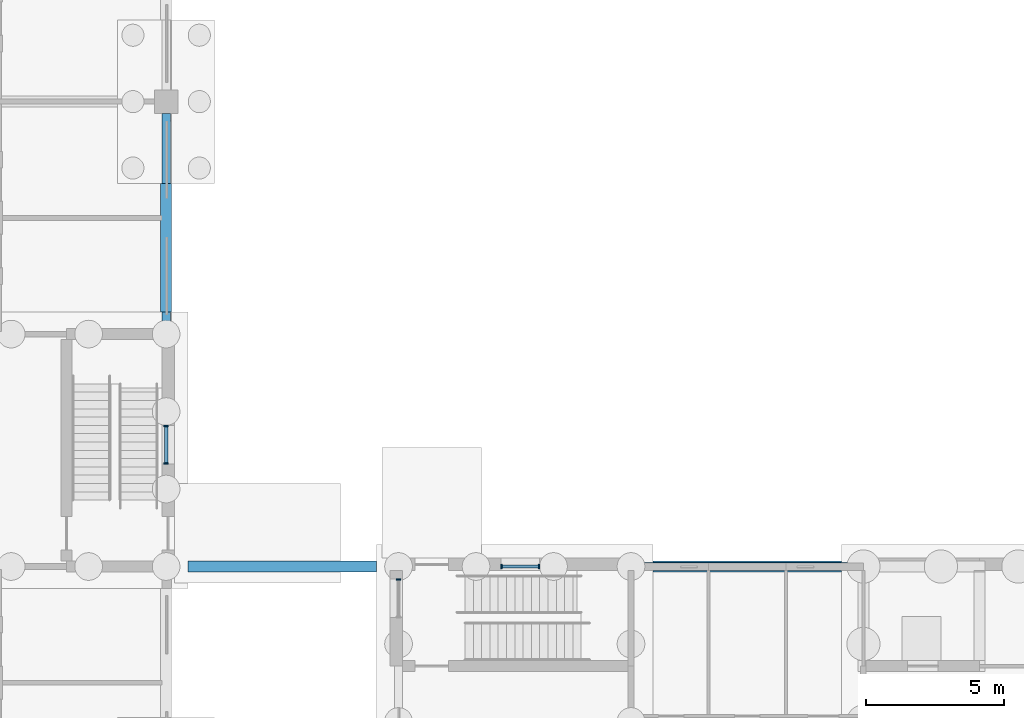
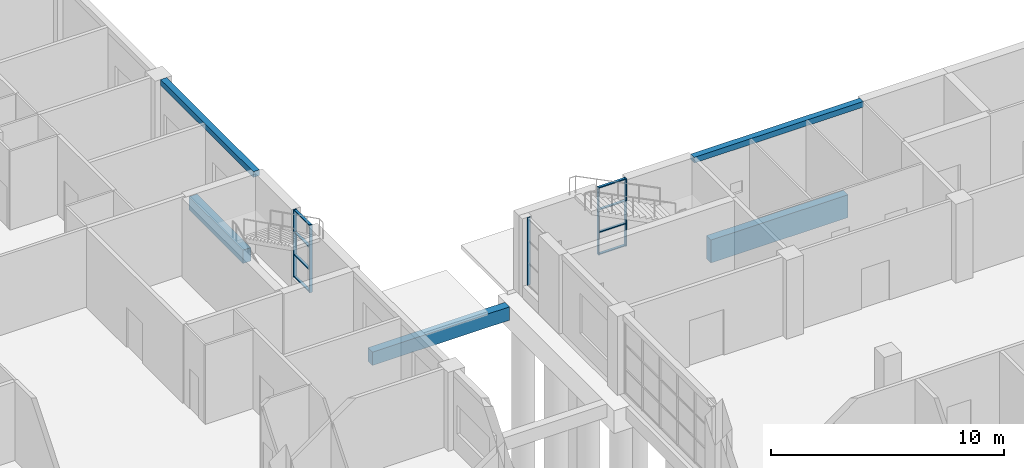
# One storey, part 47 of 138: 13 members, 5 beams, 3 elements without a shape of their own.
"""IFC4 building model written with IfcOpenShell, lengths in metres."""

import ifcopenshell
import ifcopenshell.guid

model = None  # the IFC model being written
_history = None  # IfcOwnerHistory: only IFC2X3 demands one
_inside = {}  # id of a spatial element -> (the spatial element, [elements in it])
_under = {}  # id of a project, library or spatial element -> (it, [spatial elements below it])
_declared = {}  # id of a project -> (the project, [libraries it declares])
_typed = {}  # id of a type object -> (the type object, [elements of that type])
_made_of = {}  # id of a material, layer set ... -> (it, [elements and type objects made of it])


def new_model(schema):
    """Start an empty IFC model of exactly this schema.

    Asked for "IFC4X3", IfcOpenShell would pick the latest addendum, in which some entities
    have other attributes; the version numbers below select the first issue.
    IFC2X3 requires an IfcOwnerHistory on every rooted entity: one is made here for all.
    """
    global model, _history
    if schema == "IFC4X3":
        model = ifcopenshell.file(schema_version=(4, 3, 0, 0))
    else:
        model = ifcopenshell.file(schema=schema)
    _inside.clear()
    _under.clear()
    _declared.clear()
    _typed.clear()
    _made_of.clear()
    _history = None
    if model.schema == "IFC2X3":
        org = make("IfcOrganization", Name="unknown")
        user = make(
            "IfcPersonAndOrganization",
            ThePerson=make("IfcPerson", FamilyName="unknown"),
            TheOrganization=org,
        )
        app = make(
            "IfcApplication",
            ApplicationDeveloper=org,
            Version="unknown",
            ApplicationFullName="unknown",
            ApplicationIdentifier="unknown",
        )
        _history = make(
            "IfcOwnerHistory",
            OwningUser=user,
            OwningApplication=app,
            ChangeAction="ADDED",
            CreationDate=0,
        )
    return model


def make(cls, **values):
    """One entity of the class cls with the attributes given. An attribute that is None is left unset."""
    return model.create_entity(
        cls, **{name: value for name, value in values.items() if value is not None}
    )


def rooted(cls, **values):
    """An entity with a GlobalId (a new one), such as an element, a storey or a relation."""
    return make(cls, GlobalId=ifcopenshell.guid.new(), OwnerHistory=_history, **values)


def si_unit(unit_type, name, prefix=None):
    """IfcSIUnit, for example si_unit("LENGTHUNIT", "METRE", prefix="MILLI")."""
    return make("IfcSIUnit", UnitType=unit_type, Prefix=prefix, Name=name)


def assignment(units):
    """IfcUnitAssignment: the units of a project."""
    return None if units is None else make("IfcUnitAssignment", Units=units)


def point(xyz):
    """IfcCartesianPoint."""
    return None if xyz is None else make("IfcCartesianPoint", Coordinates=xyz)


def direction(xyz):
    """IfcDirection."""
    return None if xyz is None else make("IfcDirection", DirectionRatios=xyz)


def frame(location, z_axis=None, x_axis=None):
    """IfcAxis2Placement3D, a coordinate frame: its origin and axes. An axis left out is left unset."""
    return make(
        "IfcAxis2Placement3D",
        Location=point(location),
        Axis=direction(z_axis),
        RefDirection=direction(x_axis),
    )


def frame_2d(location, x_axis=None):
    """IfcAxis2Placement2D, a coordinate frame in the plane: its origin and x axis."""
    return make(
        "IfcAxis2Placement2D", Location=point(location), RefDirection=direction(x_axis)
    )


def origin():
    """The frame at (0, 0, 0) with its axes left unset."""
    return frame((0.0, 0.0, 0.0))


def origin_2d():
    """The frame at (0, 0) in the plane with its x axis left unset."""
    return frame_2d((0.0, 0.0))


def place(relative_to, where):
    """IfcLocalPlacement: puts the frame where relative to a parent placement (None: the world)."""
    return make(
        "IfcLocalPlacement", PlacementRelTo=relative_to, RelativePlacement=where
    )


def context(
    kind, dimensions, precision=None, world=None, true_north=None, identifier=None
):
    """IfcGeometricRepresentationContext, for example the 3D "Model" context."""
    return make(
        "IfcGeometricRepresentationContext",
        ContextIdentifier=identifier,
        ContextType=kind,
        CoordinateSpaceDimension=dimensions,
        Precision=precision,
        WorldCoordinateSystem=world,
        TrueNorth=true_north,
    )


def subcontext(parent, identifier, kind, view, scale=None):
    """IfcGeometricRepresentationSubContext, for example "Body" below "Model"."""
    return make(
        "IfcGeometricRepresentationSubContext",
        ContextIdentifier=identifier,
        ContextType=kind,
        ParentContext=parent,
        TargetScale=scale,
        TargetView=view,
    )


def project(units=None, contexts=None):
    """IfcProject with its units and contexts."""
    return rooted(
        "IfcProject",
        Name="project",
        RepresentationContexts=contexts,
        UnitsInContext=assignment(units),
    )


def spatial(cls, under=None, at=None, **own):
    """A site, building, storey or space (cls), placed at a placement, below another one or the project."""
    s = rooted(cls, ObjectPlacement=at, **own)
    if under is not None:
        _under.setdefault(under.id(), (under, []))[1].append(s)
    return s


def profile(cls, at=None, kind="AREA", **sizes):
    """A parametric profile (cls). Its sizes go by their IFC names, for example OverallWidth=200.0."""
    return make(cls, ProfileType=kind, Position=at, **sizes)


def rectangle(**sizes):
    """IfcRectangleProfileDef."""
    return profile("IfcRectangleProfileDef", **sizes)


def extrude(swept, where, along, depth):
    """IfcExtrudedAreaSolid: the profile swept, set in the frame where, extruded along a direction by depth."""
    return make(
        "IfcExtrudedAreaSolid",
        SweptArea=swept,
        Position=where,
        ExtrudedDirection=direction(along),
        Depth=depth,
    )


def shape(context_of_items, identifier, shape_type, items):
    """IfcShapeRepresentation: the items that make up one representation, for example the "Body"."""
    return make(
        "IfcShapeRepresentation",
        ContextOfItems=context_of_items,
        RepresentationIdentifier=identifier,
        RepresentationType=shape_type,
        Items=items,
    )


def material(Name=None, Category=None):
    """IfcMaterial."""
    return make("IfcMaterial", Name=Name, Category=Category)


def material_profile(
    of_material, cross_section, Name=None, Category=None, Priority=None
):
    """IfcMaterialProfile: a cross section and its material."""
    return make(
        "IfcMaterialProfile",
        Name=Name,
        Material=of_material,
        Profile=cross_section,
        Priority=Priority,
        Category=Category,
    )


def profile_set(profiles, Name=None, composite=None):
    """IfcMaterialProfileSet."""
    return make(
        "IfcMaterialProfileSet",
        Name=Name,
        MaterialProfiles=profiles,
        CompositeProfile=composite,
    )


def made_of(thing, what):
    """Note that an element or type object is made of a material, layer set ...; save() writes the relation."""
    if what is not None:
        _made_of.setdefault(what.id(), (what, []))[1].append(thing)
    return thing


def type_object(cls, material=None, **own):
    """A type object (cls), such as IfcWallType, which elements share."""
    return made_of(rooted(cls, **own), material)


def element(
    cls,
    number,
    at=None,
    inside=None,
    cuts=None,
    type_object=None,
    material=None,
    context=None,
    identifier="Body",
    shape_type=None,
    held_by="IfcProductDefinitionShape",
    body=None,
    shapes=None,
    **own,
):
    """One element of the class cls, such as IfcWall. Its Tag is "e" and its number.

    at: its placement. inside: the storey or other place that contains it. cuts: it is an
    opening in that element (IfcRelVoidsElement). A single representation is given by context,
    identifier, shape_type and body (its items); several are given by shapes. held_by: the class
    of the entity that holds the representations. save() writes the other relations.
    """
    e = rooted(cls, Tag="e%d" % number, ObjectPlacement=at, **own)
    if body is not None:
        shapes = [shape(context, identifier, shape_type, body)]
    if shapes is not None:
        e.Representation = make(held_by, Representations=shapes)
    if inside is not None:
        _inside.setdefault(inside.id(), (inside, []))[1].append(e)
    if cuts is not None:
        rooted(
            "IfcRelVoidsElement", RelatingBuildingElement=cuts, RelatedOpeningElement=e
        )
    if type_object is not None:
        _typed.setdefault(type_object.id(), (type_object, []))[1].append(e)
    return made_of(e, material)


def aggregate(whole, parts):
    """IfcRelAggregates: a whole, such as a stair, and the parts it consists of."""
    return rooted("IfcRelAggregates", RelatingObject=whole, RelatedObjects=parts)


def save(model, path):
    """Write the relations noted so far, then the file.

    IfcRelAggregates (storeys below a building ...), IfcRelContainedInSpatialStructure (elements
    in a storey), IfcRelDefinesByType, IfcRelAssociatesMaterial and IfcRelDeclares: one each for
    every whole, place, type object, material and project.
    """
    for whole, parts in _under.values():
        aggregate(whole, parts)
    for where, things in _inside.values():
        rooted(
            "IfcRelContainedInSpatialStructure",
            RelatedElements=things,
            RelatingStructure=where,
        )
    for kind, things in _typed.values():
        rooted("IfcRelDefinesByType", RelatedObjects=things, RelatingType=kind)
    for what, things in _made_of.values():
        rooted("IfcRelAssociatesMaterial", RelatedObjects=things, RelatingMaterial=what)
    for by, libraries in _declared.values():
        rooted("IfcRelDeclares", RelatingContext=by, RelatedDefinitions=libraries)
    model.write(path)


model = new_model("IFC4")

# Units and contexts
model_context = context("Model", 3, precision=1e-05, world=origin(), true_north=direction((0.0, 1.0)))
body_context = subcontext(model_context, "Body", "Model", "MODEL_VIEW")
ifc_project = project(units=[si_unit("LENGTHUNIT", "METRE"), si_unit("AREAUNIT", "SQUARE_METRE"), si_unit("VOLUMEUNIT", "CUBIC_METRE"), si_unit("PLANEANGLEUNIT", "RADIAN"), si_unit("MASSUNIT", "GRAM", prefix="KILO")], contexts=[model_context])

# Site, building, storey
site_placement = place(None, origin())
site = spatial("IfcSite", under=ifc_project, at=site_placement, CompositionType="ELEMENT")
building_placement = place(site_placement, origin())
building = spatial("IfcBuilding", under=site, at=building_placement, Name="Yavir Park General Hospital", CompositionType="ELEMENT")
storey_placement = place(building_placement, origin())
storey = spatial("IfcBuildingStorey", under=building, at=storey_placement, Name="L00", CompositionType="ELEMENT", Elevation=0.0)

# Beams
ifc_material_1 = material(Name="Concrete C35/45", Category="concrete")
ifc_material_profile_1 = material_profile(ifc_material_1, rectangle(XDim=0.300048828125, YDim=0.300048828125, at=origin_2d()), Name="RC300x300")
ifc_profile_set_1 = profile_set([ifc_material_profile_1], Name="Concrete C35/45")
beam_type_1 = type_object("IfcBeamType", Name="RC BEAM 300x300 edge beam", PredefinedType="BEAM", material=ifc_profile_set_1)
beam_1_placement = place(storey_placement, frame((42.0, 75.60009765625, 3.989990234375), z_axis=(1.0, 0.0, 0.0), x_axis=(0.0, 1.0, 0.0)))
element("IfcBeam", 1, at=beam_1_placement, inside=storey, type_object=beam_type_1, Name="B:EDGE:L00:023", PredefinedType="BEAM", context=body_context, shape_type="SweptSolid", body=[
    extrude(rectangle(XDim=0.300048828125, YDim=0.300048828125, at=origin_2d()), origin(), (0.0, 0.0, 1.0), 8.39990234375),
])
beam_2_placement = place(storey_placement, frame((25.199951171875, 84.0, 3.989990234375), z_axis=(0.0, 1.0, 0.0), x_axis=(-1.0, 0.0, 0.0)))
element("IfcBeam", 2, at=beam_2_placement, inside=storey, type_object=beam_type_1, Name="B:EDGE:L00:039", PredefinedType="BEAM", context=body_context, shape_type="SweptSolid", body=[
    extrude(rectangle(XDim=0.300048828125, YDim=0.300048828125, at=origin_2d()), origin(), (0.0, 0.0, 1.0), 7.97509765625),
])
ifc_material_2 = material(Name="Concrete C35/45", Category="concrete")
ifc_material_profile_2 = material_profile(ifc_material_2, rectangle(XDim=0.39990234375, YDim=1.199951171875, at=origin_2d()), Name="RC400x1200")
ifc_profile_set_2 = profile_set([ifc_material_profile_2], Name="Concrete C35/45")
beam_type_2 = type_object("IfcBeamType", Name="RC BEAM 400x1200 ground beam", PredefinedType="BEAM", material=ifc_profile_set_2)
beam_3_placement = place(storey_placement, frame((42.800048828125, 75.60009765625, -1.050048828125), z_axis=(1.0, 0.0, 0.0), x_axis=(0.0, 1.0, 0.0)))
element("IfcBeam", 3, at=beam_3_placement, inside=storey, type_object=beam_type_2, Name="B:GND:L00:CS1:L00:CPL", PredefinedType="BEAM", context=body_context, shape_type="SweptSolid", body=[
    extrude(rectangle(XDim=0.39990234375, YDim=1.199951171875, at=origin_2d()), origin(), (0.0, 0.0, 1.0), 6.800048828125),
])
ifc_material_3 = material(Name="Concrete C35/45", Category="concrete")
ifc_material_profile_3 = material_profile(ifc_material_3, rectangle(XDim=0.39990234375, YDim=0.699951171875, at=origin_2d()), Name="RC400x700")
ifc_profile_set_3 = profile_set([ifc_material_profile_3], Name="Concrete C35/45")
beam_type_3 = type_object("IfcBeamType", Name="RC BEAM 400x700 ground beam", PredefinedType="BEAM", material=ifc_profile_set_3)
beam_4_placement = place(storey_placement, frame((26.0, 75.60009765625, -0.800048828125), z_axis=(1.0, 0.0, 0.0), x_axis=(0.0, 1.0, 0.0)))
element("IfcBeam", 4, at=beam_4_placement, inside=storey, type_object=beam_type_3, Name="B:GND:L00:SW2:L00:CS1", PredefinedType="BEAM", context=body_context, shape_type="SweptSolid", body=[
    extrude(rectangle(XDim=0.39990234375, YDim=0.699951171875, at=origin_2d()), origin(), (0.0, 0.0, 1.0), 6.800048828125),
])
beam_5_placement = place(storey_placement, frame((25.199951171875, 84.800048828125, -0.800048828125), z_axis=(0.0, 1.0, 0.0), x_axis=(-1.0, 0.0, 0.0)))
element("IfcBeam", 5, at=beam_5_placement, inside=storey, type_object=beam_type_3, Name="B:GND:L00:SW2:L00:4M", PredefinedType="BEAM", context=body_context, shape_type="SweptSolid", body=[
    extrude(rectangle(XDim=0.39990234375, YDim=0.699951171875, at=origin_2d()), origin(), (0.0, 0.0, 1.0), 4.64990234375),
])

# Curtain wall, members
ifc_material_4 = material(Name="Aluminium curtain wall frame with insulated glazing", Category="aluminium")
curtain_wall_type = type_object("IfcCurtainWallType", Name="Stair light slot, ground floor, 3540 high, 1400 module", PredefinedType="NOTDEFINED", material=ifc_material_4)
curtain_wall_1_placement = place(storey_placement, origin())
curtain_wall_1 = element("IfcCurtainWall", 6, at=curtain_wall_1_placement, inside=storey, type_object=curtain_wall_type, Name="CW19 L00-033", PredefinedType="NOTDEFINED")
ifc_material_5 = material(Name="Aluminium", Category="aluminium")
ifc_material_profile_4 = material_profile(ifc_material_5, rectangle(XDim=0.159912109375, YDim=0.050048828125, at=origin_2d()), Name="AL 50x160")
ifc_profile_set_4 = profile_set([ifc_material_profile_4], Name="Aluminium")
member_type_1 = type_object("IfcMemberType", Name="Stair light slot, ground floor, 3540 high mullion 50 x 160", PredefinedType="MULLION", material=ifc_profile_set_4)
member_1_placement = place(storey_placement, frame((37.324951171875, 75.60009765625, 0.60009765625), z_axis=(0.0, 0.0, 1.0), x_axis=(0.0, 1.0, 0.0)))
member_1 = element("IfcMember", 7, at=member_1_placement, type_object=member_type_1, Name="CW19 mullion 1", PredefinedType="MULLION", context=body_context, shape_type="SweptSolid", body=[
    extrude(rectangle(XDim=0.159912109375, YDim=0.050048828125, at=origin_2d()), origin(), (0.0, 0.0, 1.0), 3.539794921875),
])
member_2_placement = place(storey_placement, frame((38.675048828125, 75.60009765625, 0.60009765625), z_axis=(0.0, 0.0, 1.0), x_axis=(0.0, 1.0, 0.0)))
member_2 = element("IfcMember", 8, at=member_2_placement, type_object=member_type_1, Name="CW19 mullion 2", PredefinedType="MULLION", context=body_context, shape_type="SweptSolid", body=[
    extrude(rectangle(XDim=0.159912109375, YDim=0.050048828125, at=origin_2d()), origin(), (0.0, 0.0, 1.0), 3.539794921875),
])

curtain_wall_2_placement = place(storey_placement, origin())
curtain_wall_2 = element("IfcCurtainWall", 9, at=curtain_wall_2_placement, inside=storey, type_object=curtain_wall_type, Name="CW19 L00-043", PredefinedType="NOTDEFINED")
member_3_placement = place(storey_placement, frame((25.199951171875, 79.324951171875, 0.60009765625), z_axis=(0.0, 0.0, 1.0), x_axis=(-1.0, 0.0, 0.0)))
member_3 = element("IfcMember", 10, at=member_3_placement, type_object=member_type_1, Name="CW19 mullion 1", PredefinedType="MULLION", context=body_context, shape_type="SweptSolid", body=[
    extrude(rectangle(XDim=0.159912109375, YDim=0.050048828125, at=origin_2d()), origin(), (0.0, 0.0, 1.0), 3.539794921875),
])
member_4_placement = place(storey_placement, frame((25.199951171875, 80.675048828125, 0.60009765625), z_axis=(0.0, 0.0, 1.0), x_axis=(-1.0, 0.0, 0.0)))
member_4 = element("IfcMember", 11, at=member_4_placement, type_object=member_type_1, Name="CW19 mullion 2", PredefinedType="MULLION", context=body_context, shape_type="SweptSolid", body=[
    extrude(rectangle(XDim=0.159912109375, YDim=0.050048828125, at=origin_2d()), origin(), (0.0, 0.0, 1.0), 3.539794921875),
])

# Curtain wall, member
curtain_wall_3_placement = place(storey_placement, origin())
curtain_wall_3 = element("IfcCurtainWall", 12, at=curtain_wall_3_placement, inside=storey, type_object=curtain_wall_type, Name="CW19 L00-046", PredefinedType="NOTDEFINED")
member_5_placement = place(storey_placement, frame((33.60009765625, 75.125, 0.60009765625), z_axis=(0.0, 0.0, 1.0), x_axis=(-1.0, 0.0, 0.0)))
member_5 = element("IfcMember", 13, at=member_5_placement, type_object=member_type_1, Name="CW19 mullion 2", PredefinedType="MULLION", context=body_context, shape_type="SweptSolid", body=[
    extrude(rectangle(XDim=0.159912109375, YDim=0.050048828125, at=origin_2d()), origin(), (0.0, 0.0, 1.0), 3.539794921875),
])
aggregate(curtain_wall_3, [member_5])

# Member
ifc_material_6 = material(Name="Aluminium", Category="aluminium")
ifc_material_profile_5 = material_profile(ifc_material_6, rectangle(XDim=0.1201171875, YDim=0.050048828125, at=origin_2d()), Name="AL 120x50")
ifc_profile_set_5 = profile_set([ifc_material_profile_5], Name="Aluminium")
member_type_2 = type_object("IfcMemberType", Name="Stair light slot, ground floor, 3540 high transom 50 x 120", PredefinedType="MULLION", material=ifc_profile_set_5)
member_6_placement = place(storey_placement, frame((37.35009765625, 75.60009765625, 0.625), z_axis=(1.0, 0.0, 0.0), x_axis=(0.0, 1.0, 0.0)))
member_6 = element("IfcMember", 14, at=member_6_placement, type_object=member_type_2, Name="CW19 transom 1.1", PredefinedType="MULLION", context=body_context, shape_type="SweptSolid", body=[
    extrude(rectangle(XDim=0.1201171875, YDim=0.050048828125, at=origin_2d()), origin(), (0.0, 0.0, 1.0), 1.2998046875),
])

member_7_placement = place(storey_placement, frame((37.35009765625, 75.60009765625, 1.780029296875), z_axis=(1.0, 0.0, 0.0), x_axis=(0.0, 1.0, 0.0)))
member_7 = element("IfcMember", 15, at=member_7_placement, type_object=member_type_2, Name="CW19 transom 1.2", PredefinedType="MULLION", context=body_context, shape_type="SweptSolid", body=[
    extrude(rectangle(XDim=0.1201171875, YDim=0.050048828125, at=origin_2d()), origin(), (0.0, 0.0, 1.0), 1.2998046875),
])

member_8_placement = place(storey_placement, frame((37.35009765625, 75.60009765625, 2.9599609375), z_axis=(1.0, 0.0, 0.0), x_axis=(0.0, 1.0, 0.0)))
member_8 = element("IfcMember", 16, at=member_8_placement, type_object=member_type_2, Name="CW19 transom 1.3", PredefinedType="MULLION", context=body_context, shape_type="SweptSolid", body=[
    extrude(rectangle(XDim=0.1201171875, YDim=0.050048828125, at=origin_2d()), origin(), (0.0, 0.0, 1.0), 1.2998046875),
])

member_9_placement = place(storey_placement, frame((37.35009765625, 75.60009765625, 4.114990234375), z_axis=(1.0, 0.0, 0.0), x_axis=(0.0, 1.0, 0.0)))
member_9 = element("IfcMember", 17, at=member_9_placement, type_object=member_type_2, Name="CW19 transom 1.4", PredefinedType="MULLION", context=body_context, shape_type="SweptSolid", body=[
    extrude(rectangle(XDim=0.1201171875, YDim=0.050048828125, at=origin_2d()), origin(), (0.0, 0.0, 1.0), 1.2998046875),
])

aggregate(curtain_wall_1, [member_1, member_2, member_6, member_7, member_8, member_9])

member_10_placement = place(storey_placement, frame((25.199951171875, 79.35009765625, 0.625), z_axis=(0.0, 1.0, 0.0), x_axis=(-1.0, 0.0, 0.0)))
member_10 = element("IfcMember", 18, at=member_10_placement, type_object=member_type_2, Name="CW19 transom 1.1", PredefinedType="MULLION", context=body_context, shape_type="SweptSolid", body=[
    extrude(rectangle(XDim=0.1201171875, YDim=0.050048828125, at=origin_2d()), origin(), (0.0, 0.0, 1.0), 1.2998046875),
])

member_11_placement = place(storey_placement, frame((25.199951171875, 79.35009765625, 1.780029296875), z_axis=(0.0, 1.0, 0.0), x_axis=(-1.0, 0.0, 0.0)))
member_11 = element("IfcMember", 19, at=member_11_placement, type_object=member_type_2, Name="CW19 transom 1.2", PredefinedType="MULLION", context=body_context, shape_type="SweptSolid", body=[
    extrude(rectangle(XDim=0.1201171875, YDim=0.050048828125, at=origin_2d()), origin(), (0.0, 0.0, 1.0), 1.2998046875),
])

member_12_placement = place(storey_placement, frame((25.199951171875, 79.35009765625, 2.9599609375), z_axis=(0.0, 1.0, 0.0), x_axis=(-1.0, 0.0, 0.0)))
member_12 = element("IfcMember", 20, at=member_12_placement, type_object=member_type_2, Name="CW19 transom 1.3", PredefinedType="MULLION", context=body_context, shape_type="SweptSolid", body=[
    extrude(rectangle(XDim=0.1201171875, YDim=0.050048828125, at=origin_2d()), origin(), (0.0, 0.0, 1.0), 1.2998046875),
])

member_13_placement = place(storey_placement, frame((25.199951171875, 79.35009765625, 4.114990234375), z_axis=(0.0, 1.0, 0.0), x_axis=(-1.0, 0.0, 0.0)))
member_13 = element("IfcMember", 21, at=member_13_placement, type_object=member_type_2, Name="CW19 transom 1.4", PredefinedType="MULLION", context=body_context, shape_type="SweptSolid", body=[
    extrude(rectangle(XDim=0.1201171875, YDim=0.050048828125, at=origin_2d()), origin(), (0.0, 0.0, 1.0), 1.2998046875),
])

aggregate(curtain_wall_2, [member_3, member_4, member_10, member_11, member_12, member_13])

save(model, "model.ifc")
